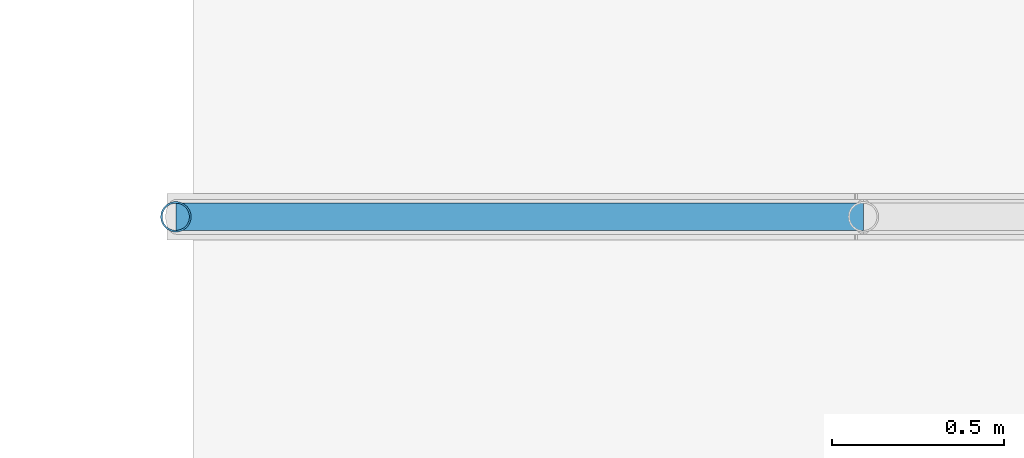
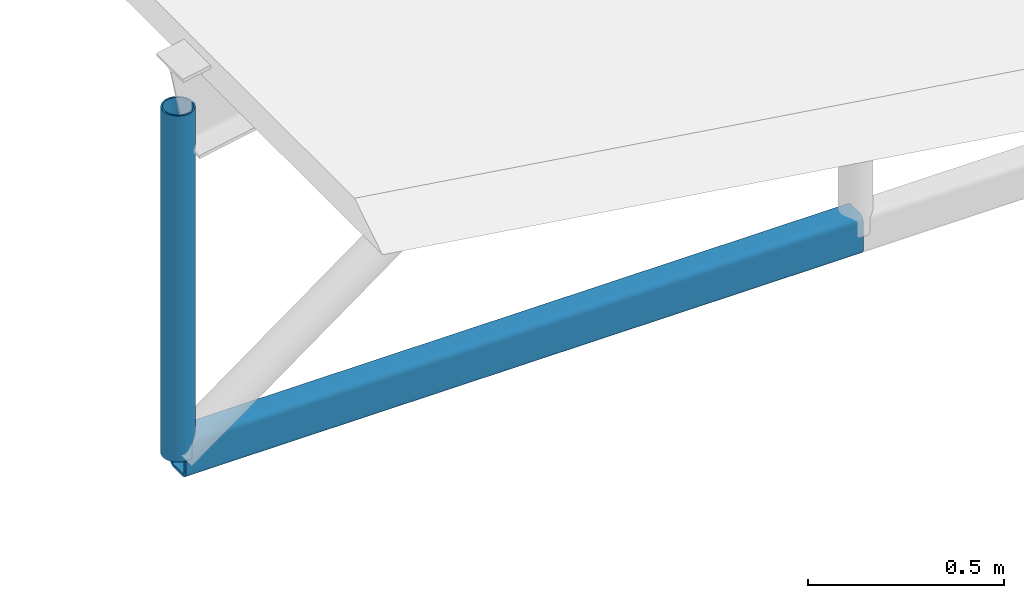
# One storey, part 21 of 54: 2 members.
"""IFC4 building model written with IfcOpenShell, lengths in metres."""

from ifc_helpers import new_model, si_unit, derived_unit, direction, frame, origin, origin_2d, place, context, subcontext, project, spatial, hollow_rectangle, hollow_circle, extrude, material, material_profile, profile_set, type_object, element, save


model = new_model("IFC4")

# Units and contexts
model_context = context("Model", 3, precision=1e-05, world=origin(), true_north=direction((0.0, 1.0)))
body_context = subcontext(model_context, "Body", "Model", "MODEL_VIEW")
ifc_project = project(units=[si_unit("LENGTHUNIT", "METRE"), si_unit("AREAUNIT", "SQUARE_METRE"), si_unit("VOLUMEUNIT", "CUBIC_METRE"), si_unit("PLANEANGLEUNIT", "RADIAN"), si_unit("MASSUNIT", "GRAM", prefix="KILO"), derived_unit("THERMALTRANSMITTANCEUNIT", [(si_unit("POWERUNIT", "WATT"), 1), (si_unit("LENGTHUNIT", "METRE"), -2), (si_unit("THERMODYNAMICTEMPERATUREUNIT", "KELVIN"), -1)])], contexts=[model_context])

# Site, building, storey
site_placement = place(None, origin())
site = spatial("IfcSite", under=ifc_project, at=site_placement, CompositionType="ELEMENT")
building_placement = place(site_placement, origin())
building = spatial("IfcBuilding", under=site, at=building_placement, Name="Keldorne Ridge Multi-Sports Centre", CompositionType="ELEMENT")
storey_placement = place(building_placement, frame((0.0, 0.0, 22.199951171875)))
storey = spatial("IfcBuildingStorey", under=building, at=storey_placement, Name="ROOF", CompositionType="ELEMENT", Elevation=22.199951171875)

# Members
ifc_material = material(Name="Steel S355", Category="steel")
ifc_material_profile_1 = material_profile(ifc_material, hollow_rectangle(XDim=0.080078125, YDim=0.1201171875, WallThickness=0.008056640625, InnerFilletRadius=0.008056640625, OuterFilletRadius=0.01611328125, at=origin_2d()), Name="RHS 120x80x8")
ifc_profile_set_1 = profile_set([ifc_material_profile_1], Name="Steel S355")
member_type_1 = type_object("IfcMemberType", Name="MEM-TC-07", PredefinedType="CHORD", material=ifc_profile_set_1)
member_1_placement = place(storey_placement, frame((84.0, 46.0, -13.719970703125), z_axis=(1.0, 0.0, 0.0), x_axis=(0.0, 1.0, 0.0)))
element("IfcMember", 1, at=member_1_placement, inside=storey, type_object=member_type_1, Name="Public Passage bowstring tie chord 06.1", PredefinedType="CHORD", context=body_context, shape_type="SweptSolid", body=[
    extrude(hollow_rectangle(XDim=0.080078125, YDim=0.1201171875, WallThickness=0.008056640625, InnerFilletRadius=0.008056640625, OuterFilletRadius=0.01611328125, at=origin_2d()), origin(), (0.0, 0.0, 1.0), 2.0),
])
ifc_material_profile_2 = material_profile(ifc_material, hollow_circle(Radius=0.04443359375, WallThickness=0.0048828125, at=origin_2d()), Name="CHS 88.9x5")
ifc_profile_set_2 = profile_set([ifc_material_profile_2], Name="Steel S355")
member_type_2 = type_object("IfcMemberType", Name="MEM-TV-07", PredefinedType="STRUT", material=ifc_profile_set_2)
member_2_placement = place(storey_placement, frame((84.0, 46.0, -13.719970703125), z_axis=(0.0, 0.0, 1.0), x_axis=(1.0, 0.0, 0.0)))
element("IfcMember", 2, at=member_2_placement, inside=storey, type_object=member_type_2, Name="Public Passage bowstring hanger 06.1", PredefinedType="STRUT", context=body_context, shape_type="SweptSolid", body=[
    extrude(hollow_circle(Radius=0.04443359375, WallThickness=0.0048828125, at=origin_2d()), origin(), (0.0, 0.0, 1.0), 1.080078125),
])

save(model, "model.ifc")
